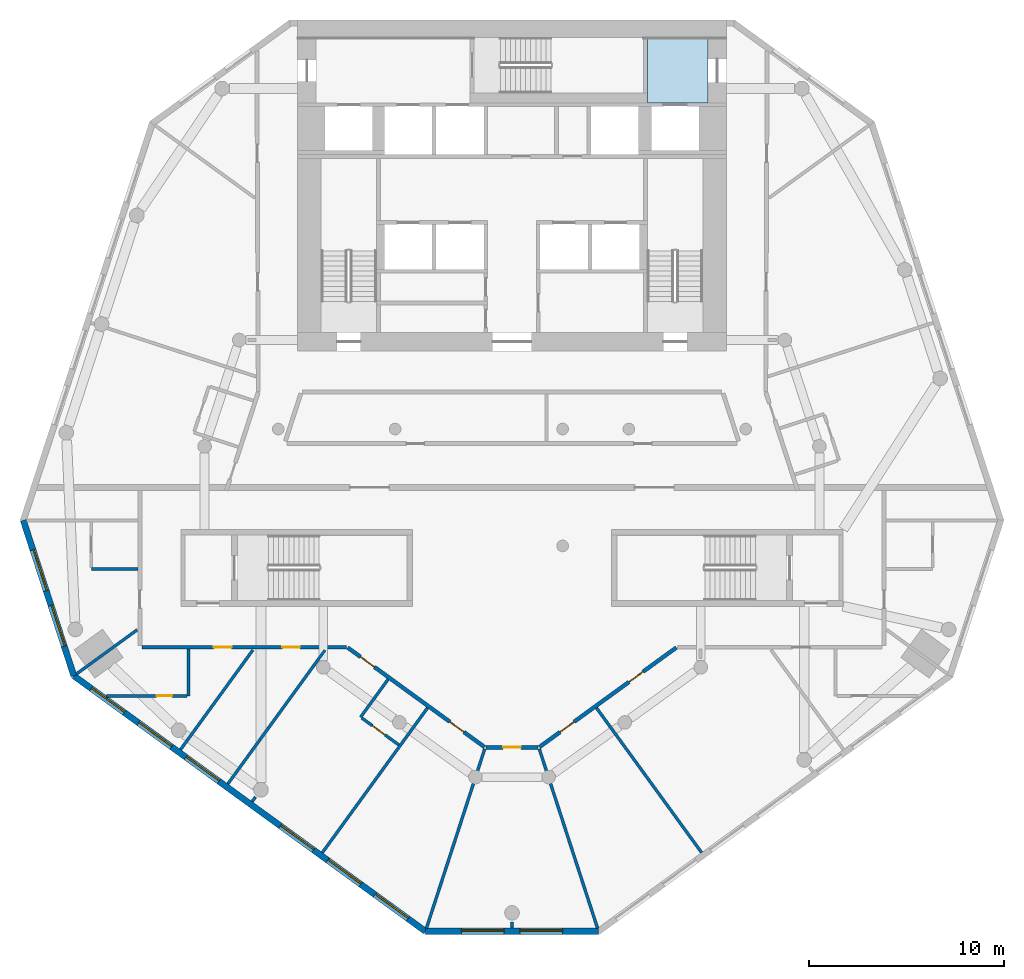
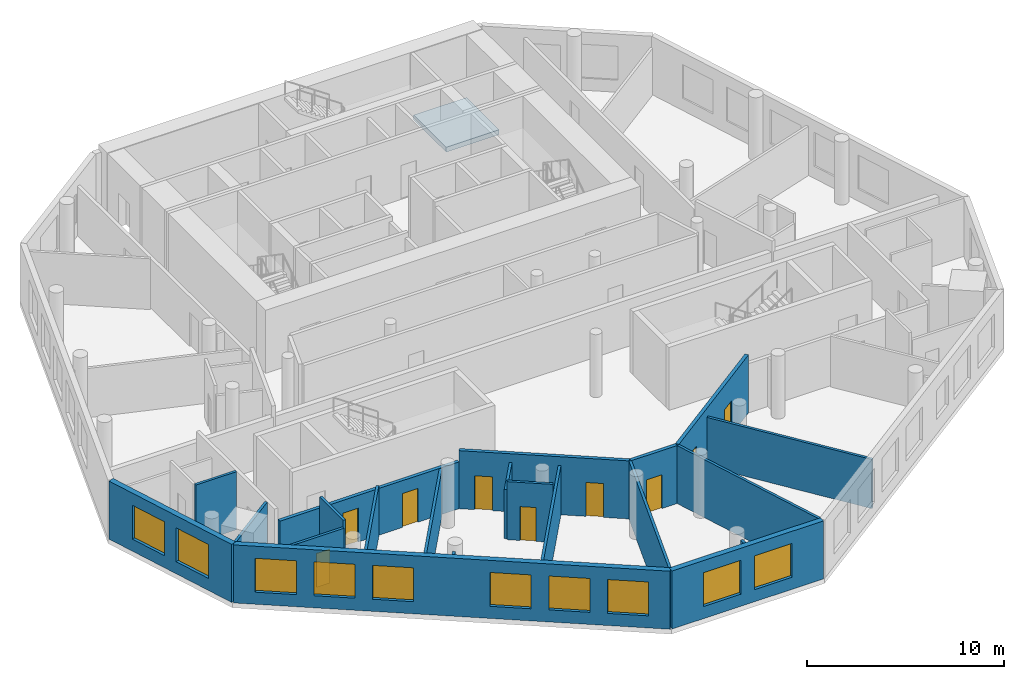
# One storey, part 2 of 9: 21 walls, 10 windows, 9 doors, 1 slab, 19 openings.
"""IFC4 building model written with IfcOpenShell, lengths in metres."""

from ifc_helpers import new_model, si_unit, direction, frame, frame_2d, origin, place, context, subcontext, project, spatial, polyline, rectangle, outline, extrude, material, layer, layer_set, type_object, element, fill, save


model = new_model("IFC4")

# Units and contexts
model_context = context("Model", 3, precision=1e-05, world=origin(), true_north=direction((0.0, 1.0)))
body_context = subcontext(model_context, "Body", "Model", "MODEL_VIEW")
ifc_project = project(units=[si_unit("LENGTHUNIT", "METRE"), si_unit("AREAUNIT", "SQUARE_METRE"), si_unit("VOLUMEUNIT", "CUBIC_METRE"), si_unit("PLANEANGLEUNIT", "RADIAN"), si_unit("MASSUNIT", "GRAM", prefix="KILO")], contexts=[model_context])

# Site, building, storey
site_placement = place(None, origin())
site = spatial("IfcSite", under=ifc_project, at=site_placement, CompositionType="ELEMENT")
building_placement = place(site_placement, origin())
building = spatial("IfcBuilding", under=site, at=building_placement, Name="White Candle Pilgrim Tower", CompositionType="ELEMENT")
storey_placement = place(building_placement, frame((0.0, 0.0, 175.89990234375)))
storey = spatial("IfcBuildingStorey", under=building, at=storey_placement, Name="L40", CompositionType="ELEMENT", Elevation=175.89990234375)

# Slab
ifc_material_1 = material(Name="Concrete C40/50", Category="concrete")
ifc_layer_1 = layer(ifc_material_1, 0.300048828125)
ifc_layer_set_1 = layer_set([ifc_layer_1], Name="Core floor slab 300 mm Concrete C40/50")
slab_type = type_object("IfcSlabType", Name="Core floor slab 300 mm Concrete C40/50", PredefinedType="FLOOR", material=ifc_layer_set_1)
slab_placement = place(storey_placement, frame((0.0, 0.0, -0.2998046875)))
element("IfcSlab", 1, at=slab_placement, inside=storey, type_object=slab_type, Name="CF-L40-06", PredefinedType="FLOOR", context=body_context, shape_type="SweptSolid", body=[
    extrude(outline(polyline([(80.050048828125, 87.050048828125), (80.050048828125, 83.75), (76.949951171875, 83.75), (76.949951171875, 84.25), (76.949951171875, 87.050048828125), (80.050048828125, 87.050048828125)])), origin(), (0.0, 0.0, 1.0), 0.2998046875),
])

# Wall, openings, doors
ifc_material_2 = material(Name="Gypsum board on steel studs", Category="steel")
ifc_layer_2 = layer(ifc_material_2, 0.199951171875)
ifc_layer_set_2 = layer_set([ifc_layer_2], Name="Corridor wall 200 mm EI 45")
wall_type_1 = type_object("IfcWallType", Name="Corridor wall 200 mm EI 45", PredefinedType="PARTITIONING", material=ifc_layer_set_2)
wall_1_placement = place(storey_placement, frame((78.434326171875, 55.781005859375, 0.0), z_axis=(0.0, 0.0, 1.0), x_axis=(-0.809005658497, -0.587800854474, 0.0)))
wall_1 = element("IfcWall", 2, at=wall_1_placement, inside=storey, type_object=wall_type_1, Name="WL-L40-P008", PredefinedType="PARTITIONING", context=body_context, shape_type="SweptSolid", body=[
    extrude(rectangle(XDim=8.69140625, YDim=0.199951171875, at=frame_2d((4.345703125, 0.0))), origin(), (0.0, 0.0, 1.0), 3.60009765625),
])
opening_1_placement = place(wall_1_placement, frame((6.4794921875, 0.0, 0.0)))
opening_1 = element("IfcOpeningElement", 3, at=opening_1_placement, cuts=wall_1, Name="Opening T12-111", PredefinedType="OPENING", context=body_context, shape_type="SweptSolid", body=[
    extrude(rectangle(XDim=0.89990234375, YDim=2.10009765625, at=frame_2d((0.449951171875, 1.050048828125))), frame((0.0, 0.10986328125, 0.0), z_axis=(0.0, -1.0, 0.0), x_axis=(1.0, 0.0, 0.0)), (0.0, 0.0, 1.0), 0.219970703125),
])
opening_2_placement = place(wall_1_placement, frame((2.101318359375, 0.0, 0.0)))
opening_2 = element("IfcOpeningElement", 4, at=opening_2_placement, cuts=wall_1, Name="Opening T12-112", PredefinedType="OPENING", context=body_context, shape_type="SweptSolid", body=[
    extrude(rectangle(XDim=0.89990234375, YDim=2.10009765625, at=frame_2d((0.449951171875, 1.050048828125))), frame((0.0, 0.10986328125, 0.0), z_axis=(0.0, -1.0, 0.0), x_axis=(1.0, 0.0, 0.0)), (0.0, 0.0, 1.0), 0.219970703125),
])
ifc_material_3 = material(Name="Steel door leaf", Category="steel")
door_type_1 = type_object("IfcDoorType", Name="Fire door 900 x 2100 EI 30", OperationType="NOTDEFINED", PredefinedType="DOOR", material=ifc_material_3)
door_1_placement = place(opening_1_placement, origin())
door_1 = element("IfcDoor", 5, at=door_1_placement, inside=storey, type_object=door_type_1, Name="Door T12-111", OperationType="SINGLE_SWING_LEFT", OverallHeight=2.10009765625, OverallWidth=0.89990234375, PredefinedType="DOOR", context=body_context, shape_type="SweptSolid", body=[
    extrude(rectangle(XDim=0.89990234375, YDim=2.10009765625, at=frame_2d((0.449951171875, 1.050048828125))), frame((0.0, 0.02490234375, 0.0), z_axis=(0.0, -1.0, 0.0), x_axis=(1.0, 0.0, 0.0)), (0.0, 0.0, 1.0), 0.050048828125),
])
fill(opening_1, door_1)
door_2_placement = place(opening_2_placement, origin())
door_2 = element("IfcDoor", 6, at=door_2_placement, inside=storey, type_object=door_type_1, Name="Door T12-112", OperationType="SINGLE_SWING_RIGHT", OverallHeight=2.10009765625, OverallWidth=0.89990234375, PredefinedType="DOOR", context=body_context, shape_type="SweptSolid", body=[
    extrude(rectangle(XDim=0.89990234375, YDim=2.10009765625, at=frame_2d((0.449951171875, 1.050048828125))), frame((0.0, 0.02490234375, 0.0), z_axis=(0.0, -1.0, 0.0), x_axis=(1.0, 0.0, 0.0)), (0.0, 0.0, 1.0), 0.050048828125),
])
fill(opening_2, door_2)

# Wall, opening, door
wall_2_placement = place(storey_placement, frame((71.343994140625, 50.653076171875, 0.0), z_axis=(0.0, 0.0, 1.0), x_axis=(-1.0, 0.0, 0.0)))
wall_2 = element("IfcWall", 7, at=wall_2_placement, inside=storey, type_object=wall_type_1, Name="WL-L40-P009", PredefinedType="PARTITIONING", context=body_context, shape_type="SweptSolid", body=[
    extrude(rectangle(XDim=2.68798828125, YDim=0.199951171875, at=frame_2d((1.343994140625, 0.0))), origin(), (0.0, 0.0, 1.0), 3.60009765625),
])
opening_3_placement = place(wall_2_placement, frame((0.89404296875, 0.0, 0.0)))
opening_3 = element("IfcOpeningElement", 8, at=opening_3_placement, cuts=wall_2, Name="Opening T12-110", PredefinedType="OPENING", context=body_context, shape_type="SweptSolid", body=[
    extrude(rectangle(XDim=0.89990234375, YDim=2.10009765625, at=frame_2d((0.449951171875, 1.050048828125))), frame((0.0, 0.10986328125, 0.0), z_axis=(0.0, -1.0, 0.0), x_axis=(1.0, 0.0, 0.0)), (0.0, 0.0, 1.0), 0.219970703125),
])
door_3_placement = place(opening_3_placement, origin())
door_3 = element("IfcDoor", 9, at=door_3_placement, inside=storey, type_object=door_type_1, Name="Door T12-110", OperationType="SINGLE_SWING_RIGHT", OverallHeight=2.10009765625, OverallWidth=0.89990234375, PredefinedType="DOOR", context=body_context, shape_type="SweptSolid", body=[
    extrude(rectangle(XDim=0.89990234375, YDim=2.10009765625, at=frame_2d((0.449951171875, 1.050048828125))), frame((0.0, 0.02490234375, 0.0), z_axis=(0.0, -1.0, 0.0), x_axis=(1.0, 0.0, 0.0)), (0.0, 0.0, 1.0), 0.050048828125),
])
fill(opening_3, door_3)

# Wall, openings, doors
wall_3_placement = place(storey_placement, frame((68.59716796875, 50.672119140625, 0.0), z_axis=(0.0, 0.0, 1.0), x_axis=(-0.809005658497, 0.587800854474, 0.0)))
wall_3 = element("IfcWall", 10, at=wall_3_placement, inside=storey, type_object=wall_type_1, Name="WL-L40-P010", PredefinedType="PARTITIONING", context=body_context, shape_type="SweptSolid", body=[
    extrude(rectangle(XDim=8.69140625, YDim=0.199951171875, at=frame_2d((4.345703125, 0.0))), origin(), (0.0, 0.0, 1.0), 3.60009765625),
])
opening_4_placement = place(wall_3_placement, frame((6.990478515625, 0.0, 0.0)))
opening_4 = element("IfcOpeningElement", 11, at=opening_4_placement, cuts=wall_3, Name="Opening T12-108", PredefinedType="OPENING", context=body_context, shape_type="SweptSolid", body=[
    extrude(rectangle(XDim=0.89990234375, YDim=2.10009765625, at=frame_2d((0.449951171875, 1.050048828125))), frame((0.0, 0.10986328125, 0.0), z_axis=(0.0, -1.0, 0.0), x_axis=(1.0, 0.0, 0.0)), (0.0, 0.0, 1.0), 0.219970703125),
])
opening_5_placement = place(wall_3_placement, frame((1.31201171875, 0.0, 0.0)))
opening_5 = element("IfcOpeningElement", 12, at=opening_5_placement, cuts=wall_3, Name="Opening T12-109", PredefinedType="OPENING", context=body_context, shape_type="SweptSolid", body=[
    extrude(rectangle(XDim=0.89990234375, YDim=2.10009765625, at=frame_2d((0.449951171875, 1.050048828125))), frame((0.0, 0.10986328125, 0.0), z_axis=(0.0, -1.0, 0.0), x_axis=(1.0, 0.0, 0.0)), (0.0, 0.0, 1.0), 0.219970703125),
])
door_4_placement = place(opening_4_placement, origin())
door_4 = element("IfcDoor", 13, at=door_4_placement, inside=storey, type_object=door_type_1, Name="Door T12-108", OperationType="SINGLE_SWING_RIGHT", OverallHeight=2.10009765625, OverallWidth=0.89990234375, PredefinedType="DOOR", context=body_context, shape_type="SweptSolid", body=[
    extrude(rectangle(XDim=0.89990234375, YDim=2.10009765625, at=frame_2d((0.449951171875, 1.050048828125))), frame((0.0, 0.02490234375, 0.0), z_axis=(0.0, -1.0, 0.0), x_axis=(1.0, 0.0, 0.0)), (0.0, 0.0, 1.0), 0.050048828125),
])
fill(opening_4, door_4)
door_5_placement = place(opening_5_placement, origin())
door_5 = element("IfcDoor", 14, at=door_5_placement, inside=storey, type_object=door_type_1, Name="Door T12-109", OperationType="SINGLE_SWING_LEFT", OverallHeight=2.10009765625, OverallWidth=0.89990234375, PredefinedType="DOOR", context=body_context, shape_type="SweptSolid", body=[
    extrude(rectangle(XDim=0.89990234375, YDim=2.10009765625, at=frame_2d((0.449951171875, 1.050048828125))), frame((0.0, 0.02490234375, 0.0), z_axis=(0.0, -1.0, 0.0), x_axis=(1.0, 0.0, 0.0)), (0.0, 0.0, 1.0), 0.050048828125),
])
fill(opening_5, door_5)

wall_4_placement = place(storey_placement, frame((61.5068359375, 55.800048828125, 0.0), z_axis=(0.0, 0.0, 1.0), x_axis=(-1.0, 0.0, 0.0)))
wall_4 = element("IfcWall", 15, at=wall_4_placement, inside=storey, type_object=wall_type_1, Name="WL-L40-P011", PredefinedType="PARTITIONING", context=body_context, shape_type="SweptSolid", body=[
    extrude(rectangle(XDim=10.5068359375, YDim=0.199951171875, at=frame_2d((5.25341796875, 0.0))), origin(), (0.0, 0.0, 1.0), 2.900146484375),
])
opening_6_placement = place(wall_4_placement, frame((5.90576171875, 0.0, 0.0)))
opening_6 = element("IfcOpeningElement", 16, at=opening_6_placement, cuts=wall_4, Name="Opening T12-105", PredefinedType="OPENING", context=body_context, shape_type="SweptSolid", body=[
    extrude(rectangle(XDim=0.89990234375, YDim=2.10009765625, at=frame_2d((0.449951171875, 1.050048828125))), frame((0.0, 0.10986328125, 0.0), z_axis=(0.0, -1.0, 0.0), x_axis=(1.0, 0.0, 0.0)), (0.0, 0.0, 1.0), 0.219970703125),
])
opening_7_placement = place(wall_4_placement, frame((2.40087890625, 0.0, 0.0)))
opening_7 = element("IfcOpeningElement", 17, at=opening_7_placement, cuts=wall_4, Name="Opening T12-106", PredefinedType="OPENING", context=body_context, shape_type="SweptSolid", body=[
    extrude(rectangle(XDim=0.89990234375, YDim=2.10009765625, at=frame_2d((0.449951171875, 1.050048828125))), frame((0.0, 0.10986328125, 0.0), z_axis=(0.0, -1.0, 0.0), x_axis=(1.0, 0.0, 0.0)), (0.0, 0.0, 1.0), 0.219970703125),
])
door_6_placement = place(opening_6_placement, origin())
door_6 = element("IfcDoor", 18, at=door_6_placement, inside=storey, type_object=door_type_1, Name="Door T12-105", OperationType="SINGLE_SWING_LEFT", OverallHeight=2.10009765625, OverallWidth=0.89990234375, PredefinedType="DOOR", context=body_context, shape_type="SweptSolid", body=[
    extrude(rectangle(XDim=0.89990234375, YDim=2.10009765625, at=frame_2d((0.449951171875, 1.050048828125))), frame((0.0, 0.02490234375, 0.0), z_axis=(0.0, -1.0, 0.0), x_axis=(1.0, 0.0, 0.0)), (0.0, 0.0, 1.0), 0.050048828125),
])
fill(opening_6, door_6)
door_7_placement = place(opening_7_placement, origin())
door_7 = element("IfcDoor", 19, at=door_7_placement, inside=storey, type_object=door_type_1, Name="Door T12-106", OperationType="SINGLE_SWING_RIGHT", OverallHeight=2.10009765625, OverallWidth=0.89990234375, PredefinedType="DOOR", context=body_context, shape_type="SweptSolid", body=[
    extrude(rectangle(XDim=0.89990234375, YDim=2.10009765625, at=frame_2d((0.449951171875, 1.050048828125))), frame((0.0, 0.02490234375, 0.0), z_axis=(0.0, -1.0, 0.0), x_axis=(1.0, 0.0, 0.0)), (0.0, 0.0, 1.0), 0.050048828125),
])
fill(opening_7, door_7)

# Wall, openings, windows
ifc_material_4 = material(Name="Precast concrete C40/50", Category="concrete")
ifc_layer_3 = layer(ifc_material_4, 0.320068359375)
ifc_layer_set_3 = layer_set([ifc_layer_3], Name="Facade wall EW1 precast concrete C40/50 pier wall with timber-lined reveals")
wall_type_2 = type_object("IfcWallType", Name="Facade wall EW1 precast concrete C40/50 pier wall with timber-lined reveals", PredefinedType="SOLIDWALL", material=ifc_layer_set_3)
wall_5_placement = place(storey_placement, frame((44.909912109375, 62.314453125, 0.0), z_axis=(0.0, 0.0, 1.0), x_axis=(0.309022961141, -0.951054577555, 0.0)))
wall_5 = element("IfcWall", 20, at=wall_5_placement, inside=storey, type_object=wall_type_2, Name="Facade wall L40 W chamfer", PredefinedType="SOLIDWALL", context=body_context, shape_type="SweptSolid", body=[
    extrude(rectangle(XDim=8.3974609375, YDim=0.320068359375, at=frame_2d((4.19873046875, 0.0))), origin(), (0.0, 0.0, 1.0), 3.60009765625),
])
opening_8_placement = place(wall_5_placement, frame((1.5986328125, 0.0, 0.75)))
opening_8 = element("IfcOpeningElement", 21, at=opening_8_placement, cuts=wall_5, Name="Opening W4", PredefinedType="OPENING", context=body_context, shape_type="SweptSolid", body=[
    extrude(rectangle(XDim=2.199951171875, YDim=2.10009765625, at=frame_2d((1.10009765625, 1.050048828125))), frame((0.0, 0.169921875, 0.0), z_axis=(0.0, -1.0, 0.0), x_axis=(1.0, 0.0, 0.0)), (0.0, 0.0, 1.0), 0.340087890625),
])
opening_9_placement = place(wall_5_placement, frame((4.5986328125, 0.0, 0.75)))
opening_9 = element("IfcOpeningElement", 22, at=opening_9_placement, cuts=wall_5, Name="Opening W4", PredefinedType="OPENING", context=body_context, shape_type="SweptSolid", body=[
    extrude(rectangle(XDim=2.199951171875, YDim=2.10009765625, at=frame_2d((1.10009765625, 1.050048828125))), frame((0.0, 0.169921875, 0.0), z_axis=(0.0, -1.0, 0.0), x_axis=(1.0, 0.0, 0.0)), (0.0, 0.0, 1.0), 0.340087890625),
])
ifc_material_5 = material(Name="Timber frame with triple glazing", Category="wood")
window_type_1 = type_object("IfcWindowType", Name="Window W4 2200x2100 timber frame triple glazing", PartitioningType="SINGLE_PANEL", PredefinedType="WINDOW", material=ifc_material_5)
window_1_placement = place(opening_8_placement, origin())
window_1 = element("IfcWindow", 23, at=window_1_placement, inside=storey, type_object=window_type_1, Name="Window W4 L40 W chamfer 1", OverallHeight=2.10009765625, OverallWidth=2.199951171875, PartitioningType="SINGLE_PANEL", PredefinedType="WINDOW", context=body_context, shape_type="SweptSolid", body=[
    extrude(rectangle(XDim=2.199951171875, YDim=2.10009765625, at=frame_2d((1.10009765625, 1.050048828125))), frame((0.0, 0.070068359375, 0.0), z_axis=(0.0, -1.0, 0.0), x_axis=(1.0, 0.0, 0.0)), (0.0, 0.0, 1.0), 0.06005859375),
])
fill(opening_8, window_1)
window_2_placement = place(opening_9_placement, origin())
window_2 = element("IfcWindow", 24, at=window_2_placement, inside=storey, type_object=window_type_1, Name="Window W4 L40 W chamfer 2", OverallHeight=2.10009765625, OverallWidth=2.199951171875, PartitioningType="SINGLE_PANEL", PredefinedType="WINDOW", context=body_context, shape_type="SweptSolid", body=[
    extrude(rectangle(XDim=2.199951171875, YDim=2.10009765625, at=frame_2d((1.10009765625, 1.050048828125))), frame((0.0, 0.070068359375, 0.0), z_axis=(0.0, -1.0, 0.0), x_axis=(1.0, 0.0, 0.0)), (0.0, 0.0, 1.0), 0.06005859375),
])
fill(opening_9, window_2)

wall_6_placement = place(storey_placement, frame((47.5048828125, 54.328125, 0.0), z_axis=(0.0, 0.0, 1.0), x_axis=(0.80901752216, -0.587784525858, 0.0)))
wall_6 = element("IfcWall", 25, at=wall_6_placement, inside=storey, type_object=wall_type_2, Name="Facade wall L40 SW", PredefinedType="SOLIDWALL", context=body_context, shape_type="SweptSolid", body=[
    extrude(rectangle(XDim=22.3125, YDim=0.320068359375, at=frame_2d((11.15625, 0.0))), origin(), (0.0, 0.0, 1.0), 3.60009765625),
])
opening_10_placement = place(wall_6_placement, frame((1.1064453125, 0.0, 0.75)))
opening_10 = element("IfcOpeningElement", 26, at=opening_10_placement, cuts=wall_6, Name="Opening W3", PredefinedType="OPENING", context=body_context, shape_type="SweptSolid", body=[
    extrude(rectangle(XDim=2.10009765625, YDim=2.10009765625, at=frame_2d((1.050048828125, 1.050048828125))), frame((0.0, 0.169921875, 0.0), z_axis=(0.0, -1.0, 0.0), x_axis=(1.0, 0.0, 0.0)), (0.0, 0.0, 1.0), 0.340087890625),
])
opening_11_placement = place(wall_6_placement, frame((4.1064453125, 0.0, 0.75)))
opening_11 = element("IfcOpeningElement", 27, at=opening_11_placement, cuts=wall_6, Name="Opening W3", PredefinedType="OPENING", context=body_context, shape_type="SweptSolid", body=[
    extrude(rectangle(XDim=2.10009765625, YDim=2.10009765625, at=frame_2d((1.050048828125, 1.050048828125))), frame((0.0, 0.169921875, 0.0), z_axis=(0.0, -1.0, 0.0), x_axis=(1.0, 0.0, 0.0)), (0.0, 0.0, 1.0), 0.340087890625),
])
opening_12_placement = place(wall_6_placement, frame((7.1064453125, 0.0, 0.75)))
opening_12 = element("IfcOpeningElement", 28, at=opening_12_placement, cuts=wall_6, Name="Opening W3", PredefinedType="OPENING", context=body_context, shape_type="SweptSolid", body=[
    extrude(rectangle(XDim=2.10009765625, YDim=2.10009765625, at=frame_2d((1.050048828125, 1.050048828125))), frame((0.0, 0.169921875, 0.0), z_axis=(0.0, -1.0, 0.0), x_axis=(1.0, 0.0, 0.0)), (0.0, 0.0, 1.0), 0.340087890625),
])
opening_13_placement = place(wall_6_placement, frame((13.1064453125, 0.0, 0.75)))
opening_13 = element("IfcOpeningElement", 29, at=opening_13_placement, cuts=wall_6, Name="Opening W3", PredefinedType="OPENING", context=body_context, shape_type="SweptSolid", body=[
    extrude(rectangle(XDim=2.10009765625, YDim=2.10009765625, at=frame_2d((1.050048828125, 1.050048828125))), frame((0.0, 0.169921875, 0.0), z_axis=(0.0, -1.0, 0.0), x_axis=(1.0, 0.0, 0.0)), (0.0, 0.0, 1.0), 0.340087890625),
])
opening_14_placement = place(wall_6_placement, frame((16.1064453125, 0.0, 0.75)))
opening_14 = element("IfcOpeningElement", 30, at=opening_14_placement, cuts=wall_6, Name="Opening W3", PredefinedType="OPENING", context=body_context, shape_type="SweptSolid", body=[
    extrude(rectangle(XDim=2.10009765625, YDim=2.10009765625, at=frame_2d((1.050048828125, 1.050048828125))), frame((0.0, 0.169921875, 0.0), z_axis=(0.0, -1.0, 0.0), x_axis=(1.0, 0.0, 0.0)), (0.0, 0.0, 1.0), 0.340087890625),
])
opening_15_placement = place(wall_6_placement, frame((19.1064453125, 0.0, 0.75)))
opening_15 = element("IfcOpeningElement", 31, at=opening_15_placement, cuts=wall_6, Name="Opening W3", PredefinedType="OPENING", context=body_context, shape_type="SweptSolid", body=[
    extrude(rectangle(XDim=2.10009765625, YDim=2.10009765625, at=frame_2d((1.050048828125, 1.050048828125))), frame((0.0, 0.169921875, 0.0), z_axis=(0.0, -1.0, 0.0), x_axis=(1.0, 0.0, 0.0)), (0.0, 0.0, 1.0), 0.340087890625),
])
window_type_2 = type_object("IfcWindowType", Name="Window W3 2100x2100 timber frame triple glazing", PartitioningType="SINGLE_PANEL", PredefinedType="WINDOW", material=ifc_material_5)
window_3_placement = place(opening_10_placement, origin())
window_3 = element("IfcWindow", 32, at=window_3_placement, inside=storey, type_object=window_type_2, Name="Window W3 L40 SW 1", OverallHeight=2.10009765625, OverallWidth=2.10009765625, PartitioningType="SINGLE_PANEL", PredefinedType="WINDOW", context=body_context, shape_type="SweptSolid", body=[
    extrude(rectangle(XDim=2.10009765625, YDim=2.10009765625, at=frame_2d((1.050048828125, 1.050048828125))), frame((0.0, 0.070068359375, 0.0), z_axis=(0.0, -1.0, 0.0), x_axis=(1.0, 0.0, 0.0)), (0.0, 0.0, 1.0), 0.06005859375),
])
fill(opening_10, window_3)
window_4_placement = place(opening_11_placement, origin())
window_4 = element("IfcWindow", 33, at=window_4_placement, inside=storey, type_object=window_type_2, Name="Window W3 L40 SW 2", OverallHeight=2.10009765625, OverallWidth=2.10009765625, PartitioningType="SINGLE_PANEL", PredefinedType="WINDOW", context=body_context, shape_type="SweptSolid", body=[
    extrude(rectangle(XDim=2.10009765625, YDim=2.10009765625, at=frame_2d((1.050048828125, 1.050048828125))), frame((0.0, 0.070068359375, 0.0), z_axis=(0.0, -1.0, 0.0), x_axis=(1.0, 0.0, 0.0)), (0.0, 0.0, 1.0), 0.06005859375),
])
fill(opening_11, window_4)
window_5_placement = place(opening_12_placement, origin())
window_5 = element("IfcWindow", 34, at=window_5_placement, inside=storey, type_object=window_type_2, Name="Window W3 L40 SW 3", OverallHeight=2.10009765625, OverallWidth=2.10009765625, PartitioningType="SINGLE_PANEL", PredefinedType="WINDOW", context=body_context, shape_type="SweptSolid", body=[
    extrude(rectangle(XDim=2.10009765625, YDim=2.10009765625, at=frame_2d((1.050048828125, 1.050048828125))), frame((0.0, 0.070068359375, 0.0), z_axis=(0.0, -1.0, 0.0), x_axis=(1.0, 0.0, 0.0)), (0.0, 0.0, 1.0), 0.06005859375),
])
fill(opening_12, window_5)
window_6_placement = place(opening_13_placement, origin())
window_6 = element("IfcWindow", 35, at=window_6_placement, inside=storey, type_object=window_type_2, Name="Window W3 L40 SW 5", OverallHeight=2.10009765625, OverallWidth=2.10009765625, PartitioningType="SINGLE_PANEL", PredefinedType="WINDOW", context=body_context, shape_type="SweptSolid", body=[
    extrude(rectangle(XDim=2.10009765625, YDim=2.10009765625, at=frame_2d((1.050048828125, 1.050048828125))), frame((0.0, 0.070068359375, 0.0), z_axis=(0.0, -1.0, 0.0), x_axis=(1.0, 0.0, 0.0)), (0.0, 0.0, 1.0), 0.06005859375),
])
fill(opening_13, window_6)
window_7_placement = place(opening_14_placement, origin())
window_7 = element("IfcWindow", 36, at=window_7_placement, inside=storey, type_object=window_type_2, Name="Window W3 L40 SW 6", OverallHeight=2.10009765625, OverallWidth=2.10009765625, PartitioningType="SINGLE_PANEL", PredefinedType="WINDOW", context=body_context, shape_type="SweptSolid", body=[
    extrude(rectangle(XDim=2.10009765625, YDim=2.10009765625, at=frame_2d((1.050048828125, 1.050048828125))), frame((0.0, 0.070068359375, 0.0), z_axis=(0.0, -1.0, 0.0), x_axis=(1.0, 0.0, 0.0)), (0.0, 0.0, 1.0), 0.06005859375),
])
fill(opening_14, window_7)
window_8_placement = place(opening_15_placement, origin())
window_8 = element("IfcWindow", 37, at=window_8_placement, inside=storey, type_object=window_type_2, Name="Window W3 L40 SW 7", OverallHeight=2.10009765625, OverallWidth=2.10009765625, PartitioningType="SINGLE_PANEL", PredefinedType="WINDOW", context=body_context, shape_type="SweptSolid", body=[
    extrude(rectangle(XDim=2.10009765625, YDim=2.10009765625, at=frame_2d((1.050048828125, 1.050048828125))), frame((0.0, 0.070068359375, 0.0), z_axis=(0.0, -1.0, 0.0), x_axis=(1.0, 0.0, 0.0)), (0.0, 0.0, 1.0), 0.06005859375),
])
fill(opening_15, window_8)

wall_7_placement = place(storey_placement, frame((65.55615234375, 41.213134765625, 0.0), z_axis=(0.0, 0.0, 1.0), x_axis=(1.0, 0.0, 0.0)))
wall_7 = element("IfcWall", 38, at=wall_7_placement, inside=storey, type_object=wall_type_2, Name="Facade wall L40 S chamfer", PredefinedType="SOLIDWALL", context=body_context, shape_type="SweptSolid", body=[
    extrude(rectangle(XDim=8.8876953125, YDim=0.320068359375, at=frame_2d((4.44384765625, 0.0))), origin(), (0.0, 0.0, 1.0), 3.60009765625),
])
opening_16_placement = place(wall_7_placement, frame((1.84375, 0.0, 0.75)))
opening_16 = element("IfcOpeningElement", 39, at=opening_16_placement, cuts=wall_7, Name="Opening W4", PredefinedType="OPENING", context=body_context, shape_type="SweptSolid", body=[
    extrude(rectangle(XDim=2.199951171875, YDim=2.10009765625, at=frame_2d((1.10009765625, 1.050048828125))), frame((0.0, 0.169921875, 0.0), z_axis=(0.0, -1.0, 0.0), x_axis=(1.0, 0.0, 0.0)), (0.0, 0.0, 1.0), 0.340087890625),
])
opening_17_placement = place(wall_7_placement, frame((4.84375, 0.0, 0.75)))
opening_17 = element("IfcOpeningElement", 40, at=opening_17_placement, cuts=wall_7, Name="Opening W4", PredefinedType="OPENING", context=body_context, shape_type="SweptSolid", body=[
    extrude(rectangle(XDim=2.199951171875, YDim=2.10009765625, at=frame_2d((1.10009765625, 1.050048828125))), frame((0.0, 0.169921875, 0.0), z_axis=(0.0, -1.0, 0.0), x_axis=(1.0, 0.0, 0.0)), (0.0, 0.0, 1.0), 0.340087890625),
])
window_9_placement = place(opening_16_placement, origin())
window_9 = element("IfcWindow", 41, at=window_9_placement, inside=storey, type_object=window_type_1, Name="Window W4 L40 S chamfer 1", OverallHeight=2.10009765625, OverallWidth=2.199951171875, PartitioningType="SINGLE_PANEL", PredefinedType="WINDOW", context=body_context, shape_type="SweptSolid", body=[
    extrude(rectangle(XDim=2.199951171875, YDim=2.10009765625, at=frame_2d((1.10009765625, 1.050048828125))), frame((0.0, 0.070068359375, 0.0), z_axis=(0.0, -1.0, 0.0), x_axis=(1.0, 0.0, 0.0)), (0.0, 0.0, 1.0), 0.06005859375),
])
fill(opening_16, window_9)
window_10_placement = place(opening_17_placement, origin())
window_10 = element("IfcWindow", 42, at=window_10_placement, inside=storey, type_object=window_type_1, Name="Window W4 L40 S chamfer 2", OverallHeight=2.10009765625, OverallWidth=2.199951171875, PartitioningType="SINGLE_PANEL", PredefinedType="WINDOW", context=body_context, shape_type="SweptSolid", body=[
    extrude(rectangle(XDim=2.199951171875, YDim=2.10009765625, at=frame_2d((1.10009765625, 1.050048828125))), frame((0.0, 0.070068359375, 0.0), z_axis=(0.0, -1.0, 0.0), x_axis=(1.0, 0.0, 0.0)), (0.0, 0.0, 1.0), 0.06005859375),
])
fill(opening_17, window_10)

# Walls
ifc_layer_4 = layer(ifc_material_2, 0.14990234375)
ifc_layer_set_4 = layer_set([ifc_layer_4], Name="Partition 150 mm EI 60")
wall_type_3 = type_object("IfcWallType", Name="Partition 150 mm EI 60", PredefinedType="PARTITIONING", material=ifc_layer_set_4)
wall_8_placement = place(storey_placement, frame((47.64111328125, 54.427001953125, 0.0), z_axis=(0.0, 0.0, 1.0), x_axis=(0.808993762588, 0.587817226775, 0.0)))
element("IfcWall", 43, at=wall_8_placement, inside=storey, type_object=wall_type_3, Name="WL-L40-P019", PredefinedType="PARTITIONING", context=body_context, shape_type="SweptSolid", body=[
    extrude(rectangle(XDim=3.85009765625, YDim=0.14990234375, at=frame_2d((1.925048828125, 0.0))), origin(), (0.0, 0.0, 1.0), 3.60009765625),
])
for number, where, z_axis, x_axis, name in (
    (44, (65.608154296875, 41.373046875, 0.0), (0.0, 0.0, 1.0), (0.309017584441, 0.951056324571, 0.0), "WL-L40-P020"),
    (45, (74.391845703125, 41.373046875, 0.0), (0.0, 0.0, 1.0), (-0.309017584441, 0.951056324571, 0.0), "WL-L40-P021"),
):
    element("IfcWall", number, at=place(storey_placement, frame(where, z_axis=z_axis, x_axis=x_axis)), inside=storey, type_object=wall_type_3, Name=name, PredefinedType="PARTITIONING", context=body_context, shape_type="SweptSolid", body=[
        extrude(rectangle(XDim=9.672607421875, YDim=0.14990234375, at=frame_2d((4.83642578125, 0.0))), origin(), (0.0, 0.0, 1.0), 3.60009765625),
    ])
wall_9_placement = place(storey_placement, frame((50.800048828125, 59.814453125, 0.0), z_axis=(0.0, 0.0, 1.0), x_axis=(-1.0, 0.0, 0.0)))
element("IfcWall", 46, at=wall_9_placement, inside=storey, type_object=wall_type_3, Name="WL-L40-P029", PredefinedType="PARTITIONING", context=body_context, shape_type="SweptSolid", body=[
    extrude(rectangle(XDim=2.400146484375, YDim=0.14990234375, at=frame_2d((1.2001953125, 0.0))), origin(), (0.0, 0.0, 1.0), 3.60009765625),
])
wall_10_placement = place(storey_placement, frame((52.98388671875, 50.545166015625, 0.0), z_axis=(0.0, 0.0, 1.0), x_axis=(0.587799384359, 0.809006726639, 0.0)))
element("IfcWall", 47, at=wall_10_placement, inside=storey, type_object=wall_type_3, Name="WL-L40-P031", PredefinedType="PARTITIONING", context=body_context, shape_type="SweptSolid", body=[
    extrude(rectangle(XDim=6.3173828125, YDim=0.14990234375, at=frame_2d((3.15869140625, 0.0))), origin(), (0.0, 0.0, 1.0), 3.150146484375),
])
wall_11_placement = place(storey_placement, frame((55.4111328125, 48.78173828125, 0.0), z_axis=(0.0, 0.0, 1.0), x_axis=(0.587780401156, 0.80902051891, 0.0)))
element("IfcWall", 48, at=wall_11_placement, inside=storey, type_object=wall_type_3, Name="WL-L40-P032", PredefinedType="PARTITIONING", context=body_context, shape_type="SweptSolid", body=[
    extrude(rectangle(XDim=8.4970703125, YDim=0.14990234375, at=frame_2d((4.24853515625, 0.0))), origin(), (0.0, 0.0, 1.0), 2.900146484375),
])
wall_12_placement = place(storey_placement, frame((60.26513671875, 45.2548828125, 0.0), z_axis=(0.0, 0.0, 1.0), x_axis=(0.587765230576, 0.809031540625, 0.0)))
element("IfcWall", 49, at=wall_12_placement, inside=storey, type_object=wall_type_3, Name="WL-L40-P033", PredefinedType="PARTITIONING", context=body_context, shape_type="SweptSolid", body=[
    extrude(rectangle(XDim=9.18017578125, YDim=0.14990234375, at=frame_2d((4.590087890625, 0.0))), origin(), (0.0, 0.0, 1.0), 3.050048828125),
])
wall_13_placement = place(storey_placement, frame((53.39990234375, 55.699951171875, 0.0), z_axis=(0.0, 0.0, 1.0), x_axis=(0.0, -1.0, 0.0)))
element("IfcWall", 50, at=wall_13_placement, inside=storey, type_object=wall_type_3, Name="WL-L40-P034", PredefinedType="PARTITIONING", context=body_context, shape_type="SweptSolid", body=[
    extrude(rectangle(XDim=2.39990234375, YDim=0.14990234375, at=frame_2d((1.199951171875, 0.0))), origin(), (0.0, 0.0, 1.0), 3.60009765625),
])

# Wall, opening, door
wall_14_placement = place(storey_placement, frame((49.192138671875, 53.300048828125, 0.0), z_axis=(0.0, 0.0, 1.0), x_axis=(1.0, 0.0, 0.0)))
wall_14 = element("IfcWall", 51, at=wall_14_placement, inside=storey, type_object=wall_type_3, Name="WL-L40-P035", PredefinedType="PARTITIONING", context=body_context, shape_type="SweptSolid", body=[
    extrude(rectangle(XDim=4.1328125, YDim=0.14990234375, at=frame_2d((2.06640625, 0.0))), origin(), (0.0, 0.0, 1.0), 3.150146484375),
])
opening_18_placement = place(wall_14_placement, frame((2.557861328125, 0.0, 0.0)))
opening_18 = element("IfcOpeningElement", 52, at=opening_18_placement, cuts=wall_14, Name="Opening T12-104", PredefinedType="OPENING", context=body_context, shape_type="SweptSolid", body=[
    extrude(rectangle(XDim=0.800048828125, YDim=2.10009765625, at=frame_2d((0.39990234375, 1.050048828125))), frame((0.0, 0.0849609375, 0.0), z_axis=(0.0, -1.0, 0.0), x_axis=(1.0, 0.0, 0.0)), (0.0, 0.0, 1.0), 0.169921875),
])
door_type_2 = type_object("IfcDoorType", Name="Fire door 800 x 2100 EI 30", OperationType="NOTDEFINED", PredefinedType="DOOR", material=ifc_material_3)
door_8_placement = place(opening_18_placement, frame((0.800048828125, 0.0, 0.0), z_axis=(0.0, 0.0, 1.0), x_axis=(-1.0, 0.0, 0.0)))
door_8 = element("IfcDoor", 53, at=door_8_placement, inside=storey, type_object=door_type_2, Name="Door T12-104", OperationType="SINGLE_SWING_LEFT", OverallHeight=2.10009765625, OverallWidth=0.800048828125, PredefinedType="DOOR", context=body_context, shape_type="SweptSolid", body=[
    extrude(rectangle(XDim=0.800048828125, YDim=2.10009765625, at=frame_2d((0.39990234375, 1.050048828125))), frame((0.0, 0.02490234375, 0.0), z_axis=(0.0, -1.0, 0.0), x_axis=(1.0, 0.0, 0.0)), (0.0, 0.0, 1.0), 0.050048828125),
])
fill(opening_18, door_8)

# Wall
wall_15_placement = place(storey_placement, frame((63.638427734375, 54.1513671875, 0.0), z_axis=(0.0, 0.0, 1.0), x_axis=(-0.587772420479, -0.809026317077, 0.0)))
element("IfcWall", 54, at=wall_15_placement, inside=storey, type_object=wall_type_3, Name="WL-L40-P036", PredefinedType="PARTITIONING", context=body_context, shape_type="SweptSolid", body=[
    extrude(rectangle(XDim=2.39990234375, YDim=0.14990234375, at=frame_2d((1.199951171875, 0.0))), origin(), (0.0, 0.0, 1.0), 3.050048828125),
])

# Wall, opening, door
wall_16_placement = place(storey_placement, frame((64.189697265625, 50.7841796875, 0.0), z_axis=(0.0, 0.0, 1.0), x_axis=(-0.808996573949, 0.587813357571, 0.0)))
wall_16 = element("IfcWall", 55, at=wall_16_placement, inside=storey, type_object=wall_type_3, Name="WL-L40-P037", PredefinedType="PARTITIONING", context=body_context, shape_type="SweptSolid", body=[
    extrude(rectangle(XDim=2.35009765625, YDim=0.14990234375, at=frame_2d((1.175048828125, 0.0))), origin(), (0.0, 0.0, 1.0), 3.60009765625),
])
opening_19_placement = place(wall_16_placement, frame((0.875, 0.0, 0.0)))
opening_19 = element("IfcOpeningElement", 56, at=opening_19_placement, cuts=wall_16, Name="Opening T12-107", PredefinedType="OPENING", context=body_context, shape_type="SweptSolid", body=[
    extrude(rectangle(XDim=0.800048828125, YDim=2.10009765625, at=frame_2d((0.39990234375, 1.050048828125))), frame((0.0, 0.0849609375, 0.0), z_axis=(0.0, -1.0, 0.0), x_axis=(1.0, 0.0, 0.0)), (0.0, 0.0, 1.0), 0.169921875),
])
door_9_placement = place(opening_19_placement, origin())
door_9 = element("IfcDoor", 57, at=door_9_placement, inside=storey, type_object=door_type_2, Name="Door T12-107", OperationType="SINGLE_SWING_LEFT", OverallHeight=2.10009765625, OverallWidth=0.800048828125, PredefinedType="DOOR", context=body_context, shape_type="SweptSolid", body=[
    extrude(rectangle(XDim=0.800048828125, YDim=2.10009765625, at=frame_2d((0.39990234375, 1.050048828125))), frame((0.0, 0.02490234375, 0.0), z_axis=(0.0, -1.0, 0.0), x_axis=(1.0, 0.0, 0.0)), (0.0, 0.0, 1.0), 0.050048828125),
])
fill(opening_19, door_9)

# Walls
wall_17_placement = place(storey_placement, frame((79.73486328125, 45.2548828125, 0.0), z_axis=(0.0, 0.0, 1.0), x_axis=(-0.587765230576, 0.809031540625, 0.0)))
element("IfcWall", 58, at=wall_17_placement, inside=storey, type_object=wall_type_3, Name="WL-L40-P038", PredefinedType="PARTITIONING", context=body_context, shape_type="SweptSolid", body=[
    extrude(rectangle(XDim=9.18017578125, YDim=0.14990234375, at=frame_2d((4.590087890625, 0.0))), origin(), (0.0, 0.0, 1.0), 3.050048828125),
])
wall_18_placement = place(storey_placement, frame((56.8291015625, 48.109375, 0.0), z_axis=(0.0, 0.0, 1.0), x_axis=(-0.587519947193, -0.809209683364, 0.0)))
element("IfcWall", 59, at=wall_18_placement, inside=storey, type_object=wall_type_3, Name="WL-L40-P049", PredefinedType="PARTITIONING", context=body_context, shape_type="SweptSolid", body=[
    extrude(rectangle(XDim=0.28955078125, YDim=0.14990234375, at=frame_2d((0.144775390625, 0.0))), origin(), (0.0, 0.0, 1.0), 3.60009765625),
])
wall_19_placement = place(storey_placement, frame((70.002197265625, 41.695068359375, 0.0), z_axis=(0.0, 0.0, 1.0), x_axis=(0.0, -1.0, 0.0)))
element("IfcWall", 60, at=wall_19_placement, inside=storey, type_object=wall_type_3, Name="WL-L40-P050", PredefinedType="PARTITIONING", context=body_context, shape_type="SweptSolid", body=[
    extrude(rectangle(XDim=0.322021484375, YDim=0.14990234375, at=frame_2d((0.1611328125, 0.0))), origin(), (0.0, 0.0, 1.0), 3.60009765625),
])

save(model, "model.ifc")
